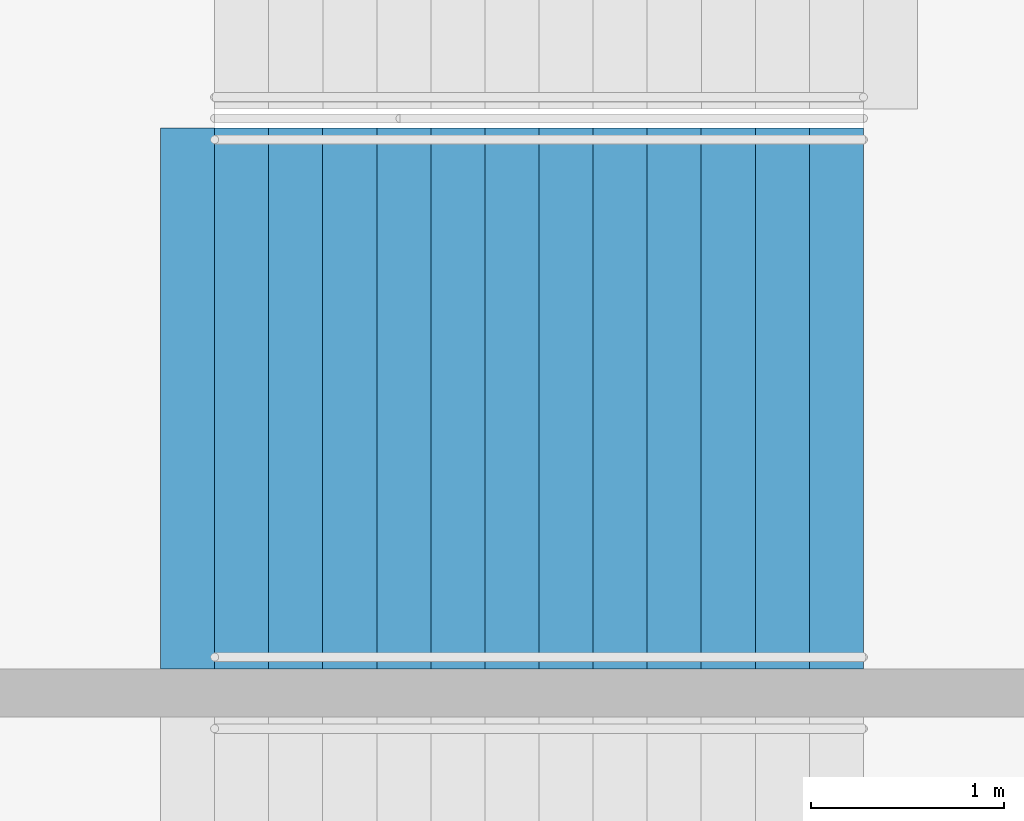
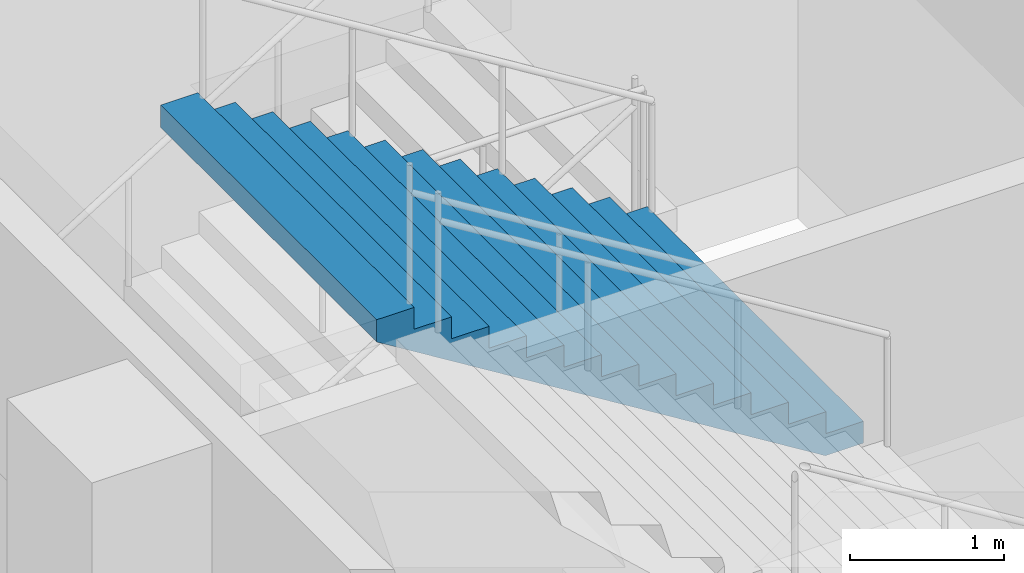
# One storey, part 222 of 249: 1 stair flight, 1 element without a shape of its own.
"""IFC4 building model written with IfcOpenShell, lengths in metres."""

from ifc_helpers import new_model, si_unit, direction, frame, origin, place, context, subcontext, project, spatial, faceted_brep, material, type_object, element, aggregate, save


model = new_model("IFC4")

# Units and contexts
model_context = context("Model", 3, precision=1e-05, world=origin(), true_north=direction((0.0, 1.0)))
body_context = subcontext(model_context, "Body", "Model", "MODEL_VIEW")
ifc_project = project(units=[si_unit("LENGTHUNIT", "METRE"), si_unit("AREAUNIT", "SQUARE_METRE"), si_unit("VOLUMEUNIT", "CUBIC_METRE"), si_unit("PLANEANGLEUNIT", "RADIAN"), si_unit("MASSUNIT", "GRAM", prefix="KILO")], contexts=[model_context])

# Site, building, storey
site_placement = place(None, origin())
site = spatial("IfcSite", under=ifc_project, at=site_placement, CompositionType="ELEMENT")
building_placement = place(site_placement, origin())
building = spatial("IfcBuilding", under=site, at=building_placement, Name="Ogive Plaza Stadium", CompositionType="ELEMENT")
storey_placement = place(building_placement, frame((0.0, 0.0, 13.5)))
storey = spatial("IfcBuildingStorey", under=building, at=storey_placement, Name="L03", CompositionType="ELEMENT", Elevation=13.5)

# Stair, stair flight
ifc_material_1 = material(Name="Concrete C40/50", Category="concrete")
stair_type = type_object("IfcStairType", Name="Exit stair", PredefinedType="STRAIGHT_RUN_STAIR", material=ifc_material_1)
stair_placement = place(storey_placement, origin())
stair = element("IfcStair", 1, at=stair_placement, inside=storey, type_object=stair_type, Name="Exit stair ST02B L03 to L04", PredefinedType="STRAIGHT_RUN_STAIR")
ifc_material_2 = material(Name="Concrete C40/50", Category="concrete")
stair_flight_type = type_object("IfcStairFlightType", Name="Exit stair flight", PredefinedType="STRAIGHT", material=ifc_material_2)
stair_flight_placement = place(storey_placement, frame((79.7099609375, 39.02490234375, 2.25), z_axis=(0.0, 0.0, 1.0), x_axis=(-1.0, 0.0, 0.0)))
stair_flight = element("IfcStairFlight", 2, at=stair_flight_placement, type_object=stair_flight_type, Name="ST02B flight 2", NumberOfRisers=13, NumberOfTreads=12, PredefinedType="STRAIGHT", RiserHeight=0.173076923, TreadLength=0.28, context=body_context, shape_type="Brep", body=[
    faceted_brep([(0.28515625, -1.39990234375, 0.0), (3.639892578125, -1.39990234375, 2.07373046875), (3.639892578125, -1.39990234375, 2.25), (3.360107421875, -1.39990234375, 2.25), (3.360107421875, -1.39990234375, 2.076904296875), (3.080078125, -1.39990234375, 2.076904296875), (3.080078125, -1.39990234375, 1.90380859375), (2.800048828125, -1.39990234375, 1.90380859375), (2.800048828125, -1.39990234375, 1.730712890625), (2.52001953125, -1.39990234375, 1.730712890625), (2.52001953125, -1.39990234375, 1.5576171875), (2.239990234375, -1.39990234375, 1.5576171875), (2.239990234375, -1.39990234375, 1.384521484375), (1.9599609375, -1.39990234375, 1.384521484375), (1.9599609375, -1.39990234375, 1.21142578125), (1.679931640625, -1.39990234375, 1.21142578125), (1.679931640625, -1.39990234375, 1.03857421875), (1.39990234375, -1.39990234375, 1.03857421875), (1.39990234375, -1.39990234375, 0.865478515625), (1.1201171875, -1.39990234375, 0.865478515625), (1.1201171875, -1.39990234375, 0.6923828125), (0.840087890625, -1.39990234375, 0.6923828125), (0.840087890625, -1.39990234375, 0.519287109375), (0.56005859375, -1.39990234375, 0.519287109375), (0.56005859375, -1.39990234375, 0.34619140625), (0.280029296875, -1.39990234375, 0.34619140625), (0.280029296875, -1.39990234375, 0.173095703125), (0.0, -1.39990234375, 0.173095703125), (0.0, -1.39990234375, 0.0), (0.0, 1.39990234375, 0.0), (0.0, 1.39990234375, 0.173095703125), (0.280029296875, 1.39990234375, 0.173095703125), (0.280029296875, 1.39990234375, 0.34619140625), (0.56005859375, 1.39990234375, 0.34619140625), (0.56005859375, 1.39990234375, 0.519287109375), (0.840087890625, 1.39990234375, 0.519287109375), (0.840087890625, 1.39990234375, 0.6923828125), (1.1201171875, 1.39990234375, 0.6923828125), (1.1201171875, 1.39990234375, 0.865478515625), (1.39990234375, 1.39990234375, 0.865478515625), (1.39990234375, 1.39990234375, 1.03857421875), (1.679931640625, 1.39990234375, 1.03857421875), (1.679931640625, 1.39990234375, 1.21142578125), (1.9599609375, 1.39990234375, 1.21142578125), (1.9599609375, 1.39990234375, 1.384521484375), (2.239990234375, 1.39990234375, 1.384521484375), (2.239990234375, 1.39990234375, 1.5576171875), (2.52001953125, 1.39990234375, 1.5576171875), (2.52001953125, 1.39990234375, 1.730712890625), (2.800048828125, 1.39990234375, 1.730712890625), (2.800048828125, 1.39990234375, 1.90380859375), (3.080078125, 1.39990234375, 1.90380859375), (3.080078125, 1.39990234375, 2.076904296875), (3.360107421875, 1.39990234375, 2.076904296875), (3.360107421875, 1.39990234375, 2.25), (3.639892578125, 1.39990234375, 2.25), (3.639892578125, 1.39990234375, 2.07373046875), (0.28515625, 1.39990234375, 0.0), (0.28515625, -1.0888671875, 0.0), (3.639892578125, -1.0888671875, 2.07373046875), (0.28515625, -0.77783203125, 0.0), (3.639892578125, -0.77783203125, 2.07373046875), (0.28515625, -0.466796875, 0.0), (3.639892578125, -0.466796875, 2.07373046875), (0.28515625, -0.155517578125, 0.0), (3.639892578125, -0.155517578125, 2.07373046875), (0.28515625, 0.155517578125, 0.0), (3.639892578125, 0.155517578125, 2.07373046875), (0.28515625, 0.466796875, 0.0), (3.639892578125, 0.466796875, 2.07373046875), (0.28515625, 0.77783203125, 0.0), (3.639892578125, 0.77783203125, 2.07373046875), (0.28515625, 1.0888671875, 0.0), (3.639892578125, 1.0888671875, 2.07373046875), (3.639892578125, -1.0888671875, 2.25), (3.639892578125, -0.77783203125, 2.25), (3.639892578125, -0.466796875, 2.25), (3.639892578125, -0.155517578125, 2.25), (3.639892578125, 0.155517578125, 2.25), (3.639892578125, 0.466796875, 2.25), (3.639892578125, 0.77783203125, 2.25), (3.639892578125, 1.0888671875, 2.25), (3.360107421875, -1.0888671875, 2.25), (3.360107421875, -0.77783203125, 2.25), (3.360107421875, -0.466796875, 2.25), (3.360107421875, -0.155517578125, 2.25), (3.360107421875, 0.155517578125, 2.25), (3.360107421875, 0.466796875, 2.25), (3.360107421875, 0.77783203125, 2.25), (3.360107421875, 1.0888671875, 2.25), (3.360107421875, -1.0888671875, 2.076904296875), (3.360107421875, -0.77783203125, 2.076904296875), (3.360107421875, -0.466796875, 2.076904296875), (3.360107421875, -0.155517578125, 2.076904296875), (3.360107421875, 0.155517578125, 2.076904296875), (3.360107421875, 0.466796875, 2.076904296875), (3.360107421875, 0.77783203125, 2.076904296875), (3.360107421875, 1.0888671875, 2.076904296875), (3.080078125, -1.0888671875, 2.076904296875), (3.080078125, -0.77783203125, 2.076904296875), (3.080078125, -0.466796875, 2.076904296875), (3.080078125, -0.155517578125, 2.076904296875), (3.080078125, 0.155517578125, 2.076904296875), (3.080078125, 0.466796875, 2.076904296875), (3.080078125, 0.77783203125, 2.076904296875), (3.080078125, 1.0888671875, 2.076904296875), (3.080078125, -1.0888671875, 1.90380859375), (3.080078125, -0.77783203125, 1.90380859375), (3.080078125, -0.466796875, 1.90380859375), (3.080078125, -0.155517578125, 1.90380859375), (3.080078125, 0.155517578125, 1.90380859375), (3.080078125, 0.466796875, 1.90380859375), (3.080078125, 0.77783203125, 1.90380859375), (3.080078125, 1.0888671875, 1.90380859375), (2.800048828125, -1.0888671875, 1.90380859375), (2.800048828125, -0.77783203125, 1.90380859375), (2.800048828125, -0.466796875, 1.90380859375), (2.800048828125, -0.155517578125, 1.90380859375), (2.800048828125, 0.155517578125, 1.90380859375), (2.800048828125, 0.466796875, 1.90380859375), (2.800048828125, 0.77783203125, 1.90380859375), (2.800048828125, 1.0888671875, 1.90380859375), (2.800048828125, -1.0888671875, 1.730712890625), (2.800048828125, -0.77783203125, 1.730712890625), (2.800048828125, -0.466796875, 1.730712890625), (2.800048828125, -0.155517578125, 1.730712890625), (2.800048828125, 0.155517578125, 1.730712890625), (2.800048828125, 0.466796875, 1.730712890625), (2.800048828125, 0.77783203125, 1.730712890625), (2.800048828125, 1.0888671875, 1.730712890625), (2.52001953125, -1.0888671875, 1.730712890625), (2.52001953125, -0.77783203125, 1.730712890625), (2.52001953125, -0.466796875, 1.730712890625), (2.52001953125, -0.155517578125, 1.730712890625), (2.52001953125, 0.155517578125, 1.730712890625), (2.52001953125, 0.466796875, 1.730712890625), (2.52001953125, 0.77783203125, 1.730712890625), (2.52001953125, 1.0888671875, 1.730712890625), (2.52001953125, -1.0888671875, 1.5576171875), (2.52001953125, -0.77783203125, 1.5576171875), (2.52001953125, -0.466796875, 1.5576171875), (2.52001953125, -0.155517578125, 1.5576171875), (2.52001953125, 0.155517578125, 1.5576171875), (2.52001953125, 0.466796875, 1.5576171875), (2.52001953125, 0.77783203125, 1.5576171875), (2.52001953125, 1.0888671875, 1.5576171875), (2.239990234375, -1.0888671875, 1.5576171875), (2.239990234375, -0.77783203125, 1.5576171875), (2.239990234375, -0.466796875, 1.5576171875), (2.239990234375, -0.155517578125, 1.5576171875), (2.239990234375, 0.155517578125, 1.5576171875), (2.239990234375, 0.466796875, 1.5576171875), (2.239990234375, 0.77783203125, 1.5576171875), (2.239990234375, 1.0888671875, 1.5576171875), (2.239990234375, -1.0888671875, 1.384521484375), (2.239990234375, -0.77783203125, 1.384521484375), (2.239990234375, -0.466796875, 1.384521484375), (2.239990234375, -0.155517578125, 1.384521484375), (2.239990234375, 0.155517578125, 1.384521484375), (2.239990234375, 0.466796875, 1.384521484375), (2.239990234375, 0.77783203125, 1.384521484375), (2.239990234375, 1.0888671875, 1.384521484375), (1.9599609375, -1.0888671875, 1.384521484375), (1.9599609375, -0.77783203125, 1.384521484375), (1.9599609375, -0.466796875, 1.384521484375), (1.9599609375, -0.155517578125, 1.384521484375), (1.9599609375, 0.155517578125, 1.384521484375), (1.9599609375, 0.466796875, 1.384521484375), (1.9599609375, 0.77783203125, 1.384521484375), (1.9599609375, 1.0888671875, 1.384521484375), (1.9599609375, -1.0888671875, 1.21142578125), (1.9599609375, -0.77783203125, 1.21142578125), (1.9599609375, -0.466796875, 1.21142578125), (1.9599609375, -0.155517578125, 1.21142578125), (1.9599609375, 0.155517578125, 1.21142578125), (1.9599609375, 0.466796875, 1.21142578125), (1.9599609375, 0.77783203125, 1.21142578125), (1.9599609375, 1.0888671875, 1.21142578125), (1.679931640625, -1.0888671875, 1.21142578125), (1.679931640625, -0.77783203125, 1.21142578125), (1.679931640625, -0.466796875, 1.21142578125), (1.679931640625, -0.155517578125, 1.21142578125), (1.679931640625, 0.155517578125, 1.21142578125), (1.679931640625, 0.466796875, 1.21142578125), (1.679931640625, 0.77783203125, 1.21142578125), (1.679931640625, 1.0888671875, 1.21142578125), (1.679931640625, -1.0888671875, 1.03857421875), (1.679931640625, -0.77783203125, 1.03857421875), (1.679931640625, -0.466796875, 1.03857421875), (1.679931640625, -0.155517578125, 1.03857421875), (1.679931640625, 0.155517578125, 1.03857421875), (1.679931640625, 0.466796875, 1.03857421875), (1.679931640625, 0.77783203125, 1.03857421875), (1.679931640625, 1.0888671875, 1.03857421875), (1.39990234375, -1.0888671875, 1.03857421875), (1.39990234375, -0.77783203125, 1.03857421875), (1.39990234375, -0.466796875, 1.03857421875), (1.39990234375, -0.155517578125, 1.03857421875), (1.39990234375, 0.155517578125, 1.03857421875), (1.39990234375, 0.466796875, 1.03857421875), (1.39990234375, 0.77783203125, 1.03857421875), (1.39990234375, 1.0888671875, 1.03857421875), (1.39990234375, -1.0888671875, 0.865478515625), (1.39990234375, -0.77783203125, 0.865478515625), (1.39990234375, -0.466796875, 0.865478515625), (1.39990234375, -0.155517578125, 0.865478515625), (1.39990234375, 0.155517578125, 0.865478515625), (1.39990234375, 0.466796875, 0.865478515625), (1.39990234375, 0.77783203125, 0.865478515625), (1.39990234375, 1.0888671875, 0.865478515625), (1.1201171875, -1.0888671875, 0.865478515625), (1.1201171875, -0.77783203125, 0.865478515625), (1.1201171875, -0.466796875, 0.865478515625), (1.1201171875, -0.155517578125, 0.865478515625), (1.1201171875, 0.155517578125, 0.865478515625), (1.1201171875, 0.466796875, 0.865478515625), (1.1201171875, 0.77783203125, 0.865478515625), (1.1201171875, 1.0888671875, 0.865478515625), (1.1201171875, -1.0888671875, 0.6923828125), (1.1201171875, -0.77783203125, 0.6923828125), (1.1201171875, -0.466796875, 0.6923828125), (1.1201171875, -0.155517578125, 0.6923828125), (1.1201171875, 0.155517578125, 0.6923828125), (1.1201171875, 0.466796875, 0.6923828125), (1.1201171875, 0.77783203125, 0.6923828125), (1.1201171875, 1.0888671875, 0.6923828125), (0.840087890625, -1.0888671875, 0.6923828125), (0.840087890625, -0.77783203125, 0.6923828125), (0.840087890625, -0.466796875, 0.6923828125), (0.840087890625, -0.155517578125, 0.6923828125), (0.840087890625, 0.155517578125, 0.6923828125), (0.840087890625, 0.466796875, 0.6923828125), (0.840087890625, 0.77783203125, 0.6923828125), (0.840087890625, 1.0888671875, 0.6923828125), (0.840087890625, -1.0888671875, 0.519287109375), (0.840087890625, -0.77783203125, 0.519287109375), (0.840087890625, -0.466796875, 0.519287109375), (0.840087890625, -0.155517578125, 0.519287109375), (0.840087890625, 0.155517578125, 0.519287109375), (0.840087890625, 0.466796875, 0.519287109375), (0.840087890625, 0.77783203125, 0.519287109375), (0.840087890625, 1.0888671875, 0.519287109375), (0.56005859375, -1.0888671875, 0.519287109375), (0.56005859375, -0.77783203125, 0.519287109375), (0.56005859375, -0.466796875, 0.519287109375), (0.56005859375, -0.155517578125, 0.519287109375), (0.56005859375, 0.155517578125, 0.519287109375), (0.56005859375, 0.466796875, 0.519287109375), (0.56005859375, 0.77783203125, 0.519287109375), (0.56005859375, 1.0888671875, 0.519287109375), (0.56005859375, -1.0888671875, 0.34619140625), (0.56005859375, -0.77783203125, 0.34619140625), (0.56005859375, -0.466796875, 0.34619140625), (0.56005859375, -0.155517578125, 0.34619140625), (0.56005859375, 0.155517578125, 0.34619140625), (0.56005859375, 0.466796875, 0.34619140625), (0.56005859375, 0.77783203125, 0.34619140625), (0.56005859375, 1.0888671875, 0.34619140625), (0.280029296875, -1.0888671875, 0.34619140625), (0.280029296875, -0.77783203125, 0.34619140625), (0.280029296875, -0.466796875, 0.34619140625), (0.280029296875, -0.155517578125, 0.34619140625), (0.280029296875, 0.155517578125, 0.34619140625), (0.280029296875, 0.466796875, 0.34619140625), (0.280029296875, 0.77783203125, 0.34619140625), (0.280029296875, 1.0888671875, 0.34619140625), (0.280029296875, -1.0888671875, 0.173095703125), (0.280029296875, -0.77783203125, 0.173095703125), (0.280029296875, -0.466796875, 0.173095703125), (0.280029296875, -0.155517578125, 0.173095703125), (0.280029296875, 0.155517578125, 0.173095703125), (0.280029296875, 0.466796875, 0.173095703125), (0.280029296875, 0.77783203125, 0.173095703125), (0.280029296875, 1.0888671875, 0.173095703125), (0.0, -1.0888671875, 0.173095703125), (0.0, -0.77783203125, 0.173095703125), (0.0, -0.466796875, 0.173095703125), (0.0, -0.155517578125, 0.173095703125), (0.0, 0.155517578125, 0.173095703125), (0.0, 0.466796875, 0.173095703125), (0.0, 0.77783203125, 0.173095703125), (0.0, 1.0888671875, 0.173095703125), (0.0, -1.0888671875, 0.0), (0.0, -0.77783203125, 0.0), (0.0, -0.466796875, 0.0), (0.0, -0.155517578125, 0.0), (0.0, 0.155517578125, 0.0), (0.0, 0.466796875, 0.0), (0.0, 0.77783203125, 0.0), (0.0, 1.0888671875, 0.0)], [[[0, 1, 2, 3, 4, 5, 6, 7, 8, 9, 10, 11, 12, 13, 14, 15, 16, 17, 18, 19, 20, 21, 22, 23, 24, 25, 26, 27, 28]], [[29, 30, 31, 32, 33, 34, 35, 36, 37, 38, 39, 40, 41, 42, 43, 44, 45, 46, 47, 48, 49, 50, 51, 52, 53, 54, 55, 56, 57]], [[0, 58, 59, 1]], [[58, 60, 61, 59]], [[60, 62, 63, 61]], [[62, 64, 65, 63]], [[64, 66, 67, 65]], [[66, 68, 69, 67]], [[68, 70, 71, 69]], [[70, 72, 73, 71]], [[72, 57, 56, 73]], [[1, 59, 74, 2]], [[59, 61, 75, 74]], [[61, 63, 76, 75]], [[63, 65, 77, 76]], [[65, 67, 78, 77]], [[67, 69, 79, 78]], [[69, 71, 80, 79]], [[71, 73, 81, 80]], [[73, 56, 55, 81]], [[2, 74, 82, 3]], [[74, 75, 83, 82]], [[75, 76, 84, 83]], [[76, 77, 85, 84]], [[77, 78, 86, 85]], [[78, 79, 87, 86]], [[79, 80, 88, 87]], [[80, 81, 89, 88]], [[81, 55, 54, 89]], [[3, 82, 90, 4]], [[82, 83, 91, 90]], [[83, 84, 92, 91]], [[84, 85, 93, 92]], [[85, 86, 94, 93]], [[86, 87, 95, 94]], [[87, 88, 96, 95]], [[88, 89, 97, 96]], [[89, 54, 53, 97]], [[4, 90, 98, 5]], [[90, 91, 99, 98]], [[91, 92, 100, 99]], [[92, 93, 101, 100]], [[93, 94, 102, 101]], [[94, 95, 103, 102]], [[95, 96, 104, 103]], [[96, 97, 105, 104]], [[97, 53, 52, 105]], [[5, 98, 106, 6]], [[98, 99, 107, 106]], [[99, 100, 108, 107]], [[100, 101, 109, 108]], [[101, 102, 110, 109]], [[102, 103, 111, 110]], [[103, 104, 112, 111]], [[104, 105, 113, 112]], [[105, 52, 51, 113]], [[6, 106, 114, 7]], [[106, 107, 115, 114]], [[107, 108, 116, 115]], [[108, 109, 117, 116]], [[109, 110, 118, 117]], [[110, 111, 119, 118]], [[111, 112, 120, 119]], [[112, 113, 121, 120]], [[113, 51, 50, 121]], [[7, 114, 122, 8]], [[114, 115, 123, 122]], [[115, 116, 124, 123]], [[116, 117, 125, 124]], [[117, 118, 126, 125]], [[118, 119, 127, 126]], [[119, 120, 128, 127]], [[120, 121, 129, 128]], [[121, 50, 49, 129]], [[8, 122, 130, 9]], [[122, 123, 131, 130]], [[123, 124, 132, 131]], [[124, 125, 133, 132]], [[125, 126, 134, 133]], [[126, 127, 135, 134]], [[127, 128, 136, 135]], [[128, 129, 137, 136]], [[129, 49, 48, 137]], [[9, 130, 138, 10]], [[130, 131, 139, 138]], [[131, 132, 140, 139]], [[132, 133, 141, 140]], [[133, 134, 142, 141]], [[134, 135, 143, 142]], [[135, 136, 144, 143]], [[136, 137, 145, 144]], [[137, 48, 47, 145]], [[10, 138, 146, 11]], [[138, 139, 147, 146]], [[139, 140, 148, 147]], [[140, 141, 149, 148]], [[141, 142, 150, 149]], [[142, 143, 151, 150]], [[143, 144, 152, 151]], [[144, 145, 153, 152]], [[145, 47, 46, 153]], [[11, 146, 154, 12]], [[146, 147, 155, 154]], [[147, 148, 156, 155]], [[148, 149, 157, 156]], [[149, 150, 158, 157]], [[150, 151, 159, 158]], [[151, 152, 160, 159]], [[152, 153, 161, 160]], [[153, 46, 45, 161]], [[12, 154, 162, 13]], [[154, 155, 163, 162]], [[155, 156, 164, 163]], [[156, 157, 165, 164]], [[157, 158, 166, 165]], [[158, 159, 167, 166]], [[159, 160, 168, 167]], [[160, 161, 169, 168]], [[161, 45, 44, 169]], [[13, 162, 170, 14]], [[162, 163, 171, 170]], [[163, 164, 172, 171]], [[164, 165, 173, 172]], [[165, 166, 174, 173]], [[166, 167, 175, 174]], [[167, 168, 176, 175]], [[168, 169, 177, 176]], [[169, 44, 43, 177]], [[14, 170, 178, 15]], [[170, 171, 179, 178]], [[171, 172, 180, 179]], [[172, 173, 181, 180]], [[173, 174, 182, 181]], [[174, 175, 183, 182]], [[175, 176, 184, 183]], [[176, 177, 185, 184]], [[177, 43, 42, 185]], [[15, 178, 186, 16]], [[178, 179, 187, 186]], [[179, 180, 188, 187]], [[180, 181, 189, 188]], [[181, 182, 190, 189]], [[182, 183, 191, 190]], [[183, 184, 192, 191]], [[184, 185, 193, 192]], [[185, 42, 41, 193]], [[16, 186, 194, 17]], [[186, 187, 195, 194]], [[187, 188, 196, 195]], [[188, 189, 197, 196]], [[189, 190, 198, 197]], [[190, 191, 199, 198]], [[191, 192, 200, 199]], [[192, 193, 201, 200]], [[193, 41, 40, 201]], [[17, 194, 202, 18]], [[194, 195, 203, 202]], [[195, 196, 204, 203]], [[196, 197, 205, 204]], [[197, 198, 206, 205]], [[198, 199, 207, 206]], [[199, 200, 208, 207]], [[200, 201, 209, 208]], [[201, 40, 39, 209]], [[18, 202, 210, 19]], [[202, 203, 211, 210]], [[203, 204, 212, 211]], [[204, 205, 213, 212]], [[205, 206, 214, 213]], [[206, 207, 215, 214]], [[207, 208, 216, 215]], [[208, 209, 217, 216]], [[209, 39, 38, 217]], [[19, 210, 218, 20]], [[210, 211, 219, 218]], [[211, 212, 220, 219]], [[212, 213, 221, 220]], [[213, 214, 222, 221]], [[214, 215, 223, 222]], [[215, 216, 224, 223]], [[216, 217, 225, 224]], [[217, 38, 37, 225]], [[20, 218, 226, 21]], [[218, 219, 227, 226]], [[219, 220, 228, 227]], [[220, 221, 229, 228]], [[221, 222, 230, 229]], [[222, 223, 231, 230]], [[223, 224, 232, 231]], [[224, 225, 233, 232]], [[225, 37, 36, 233]], [[21, 226, 234, 22]], [[226, 227, 235, 234]], [[227, 228, 236, 235]], [[228, 229, 237, 236]], [[229, 230, 238, 237]], [[230, 231, 239, 238]], [[231, 232, 240, 239]], [[232, 233, 241, 240]], [[233, 36, 35, 241]], [[22, 234, 242, 23]], [[234, 235, 243, 242]], [[235, 236, 244, 243]], [[236, 237, 245, 244]], [[237, 238, 246, 245]], [[238, 239, 247, 246]], [[239, 240, 248, 247]], [[240, 241, 249, 248]], [[241, 35, 34, 249]], [[23, 242, 250, 24]], [[242, 243, 251, 250]], [[243, 244, 252, 251]], [[244, 245, 253, 252]], [[245, 246, 254, 253]], [[246, 247, 255, 254]], [[247, 248, 256, 255]], [[248, 249, 257, 256]], [[249, 34, 33, 257]], [[24, 250, 258, 25]], [[250, 251, 259, 258]], [[251, 252, 260, 259]], [[252, 253, 261, 260]], [[253, 254, 262, 261]], [[254, 255, 263, 262]], [[255, 256, 264, 263]], [[256, 257, 265, 264]], [[257, 33, 32, 265]], [[25, 258, 266, 26]], [[258, 259, 267, 266]], [[259, 260, 268, 267]], [[260, 261, 269, 268]], [[261, 262, 270, 269]], [[262, 263, 271, 270]], [[263, 264, 272, 271]], [[264, 265, 273, 272]], [[265, 32, 31, 273]], [[26, 266, 274, 27]], [[266, 267, 275, 274]], [[267, 268, 276, 275]], [[268, 269, 277, 276]], [[269, 270, 278, 277]], [[270, 271, 279, 278]], [[271, 272, 280, 279]], [[272, 273, 281, 280]], [[273, 31, 30, 281]], [[27, 274, 282, 28]], [[274, 275, 283, 282]], [[275, 276, 284, 283]], [[276, 277, 285, 284]], [[277, 278, 286, 285]], [[278, 279, 287, 286]], [[279, 280, 288, 287]], [[280, 281, 289, 288]], [[281, 30, 29, 289]], [[28, 282, 58, 0]], [[282, 283, 60, 58]], [[283, 284, 62, 60]], [[284, 285, 64, 62]], [[285, 286, 66, 64]], [[286, 287, 68, 66]], [[287, 288, 70, 68]], [[288, 289, 72, 70]], [[289, 29, 57, 72]]]),
])
aggregate(stair, [stair_flight])

save(model, "model.ifc")
